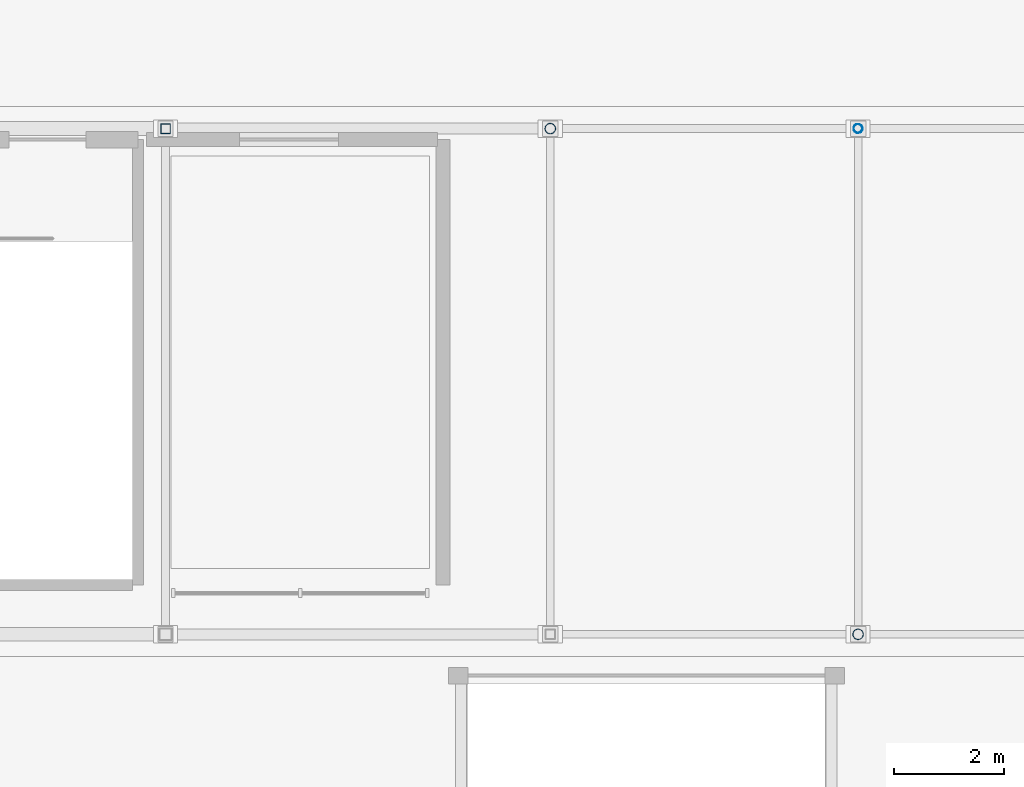
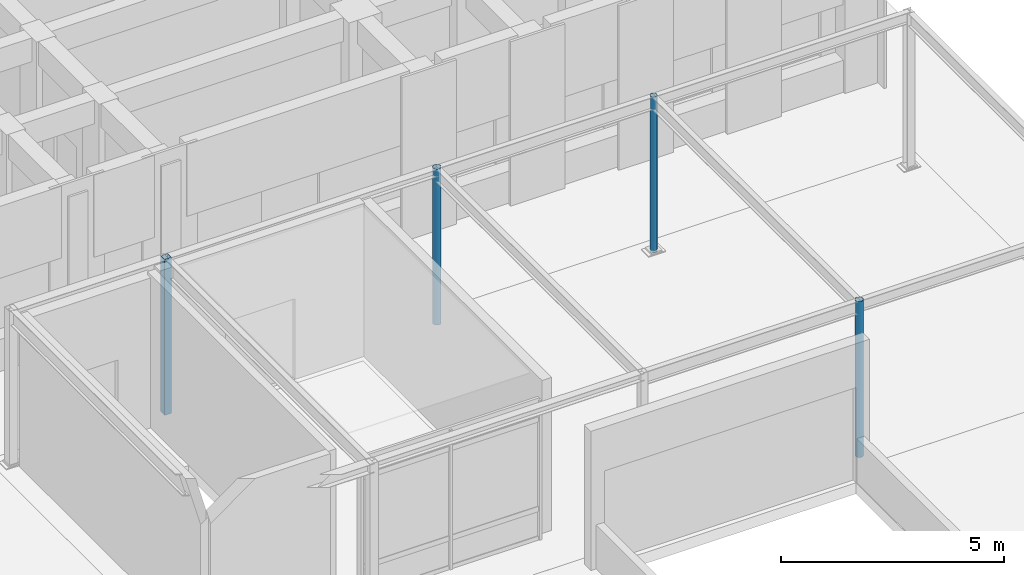
# One storey, part 10 of 135: 4 columns.
"""IFC4 building model written with IfcOpenShell, lengths in metres."""

from ifc_helpers import new_model, si_unit, direction, frame, origin, origin_2d, place, context, subcontext, project, spatial, hollow_rectangle, hollow_circle, extrude, material, material_profile, profile_set, type_object, element, save


model = new_model("IFC4")

# Units and contexts
model_context = context("Model", 3, precision=1e-05, world=origin(), true_north=direction((0.0, 1.0)))
body_context = subcontext(model_context, "Body", "Model", "MODEL_VIEW")
ifc_project = project(units=[si_unit("LENGTHUNIT", "METRE"), si_unit("AREAUNIT", "SQUARE_METRE"), si_unit("VOLUMEUNIT", "CUBIC_METRE"), si_unit("PLANEANGLEUNIT", "RADIAN"), si_unit("MASSUNIT", "GRAM", prefix="KILO")], contexts=[model_context])

# Site, building, storey
site_placement = place(None, origin())
site = spatial("IfcSite", under=ifc_project, at=site_placement, CompositionType="ELEMENT")
building_placement = place(site_placement, origin())
building = spatial("IfcBuilding", under=site, at=building_placement, Name="Kiranvali Square Residences", CompositionType="ELEMENT")
storey_placement = place(building_placement, origin())
storey = spatial("IfcBuildingStorey", under=building, at=storey_placement, Name="L00", CompositionType="ELEMENT", Elevation=0.0)

# Columns
ifc_material = material(Name="Structural steel E350", Category="steel")
ifc_material_profile_1 = material_profile(ifc_material, hollow_circle(Radius=0.08251953125, WallThickness=0.00537109375, at=origin_2d()), Name="CHS 165.1x5.4")
ifc_profile_set_1 = profile_set([ifc_material_profile_1], Name="Structural steel E350")
column_type_1 = type_object("IfcColumnType", Name="SCOL-CHS165", PredefinedType="COLUMN", material=ifc_profile_set_1)
column_1_placement = place(storey_placement, frame((158.60009765625, 64.60009765625, 0.0), z_axis=(0.0, 0.0, 1.0), x_axis=(1.0, 0.0, 0.0)))
element("IfcColumn", 1, at=column_1_placement, inside=storey, type_object=column_type_1, Name="East Street Ramp and Arcade Portal steel column 4.2", PredefinedType="COLUMN", context=body_context, shape_type="SweptSolid", body=[
    extrude(hollow_circle(Radius=0.08251953125, WallThickness=0.00537109375, at=origin_2d()), origin(), (0.0, 0.0, 1.0), 4.260009765625),
])
ifc_material_profile_2 = material_profile(ifc_material, hollow_circle(Radius=0.096923828125, WallThickness=0.006103515625, at=origin_2d()), Name="CHS 193.7x6.0")
ifc_profile_set_2 = profile_set([ifc_material_profile_2], Name="Structural steel E350")
column_type_2 = type_object("IfcColumnType", Name="SCOL-CHS193", PredefinedType="COLUMN", material=ifc_profile_set_2)
for number, where, z_axis, x_axis, name in (
    (2, (153.0, 64.60009765625, 0.0), (0.0, 0.0, 1.0), (1.0, 0.0, 0.0), "East Street Ramp and Arcade Portal steel column 3.2"),
    (3, (158.60009765625, 55.39990234375, 0.0), (0.0, 0.0, 1.0), (1.0, 0.0, 0.0), "East Street Ramp and Arcade Portal steel column 4.1"),
):
    element("IfcColumn", number, at=place(storey_placement, frame(where, z_axis=z_axis, x_axis=x_axis)), inside=storey, type_object=column_type_2, Name=name, PredefinedType="COLUMN", context=body_context, shape_type="SweptSolid", body=[
        extrude(hollow_circle(Radius=0.096923828125, WallThickness=0.006103515625, at=origin_2d()), origin(), (0.0, 0.0, 1.0), 4.260009765625),
    ])
ifc_material_profile_3 = material_profile(ifc_material, hollow_rectangle(XDim=0.179931640625, YDim=0.179931640625, WallThickness=0.008056640625, at=origin_2d()), Name="SHS 180x180x8.0")
ifc_profile_set_3 = profile_set([ifc_material_profile_3], Name="Structural steel E350")
column_type_3 = type_object("IfcColumnType", Name="SCOL-SHS180", PredefinedType="COLUMN", material=ifc_profile_set_3)
column_2_placement = place(storey_placement, frame((146.0, 64.60009765625, 0.0), z_axis=(0.0, 0.0, 1.0), x_axis=(1.0, 0.0, 0.0)))
element("IfcColumn", 4, at=column_2_placement, inside=storey, type_object=column_type_3, Name="East Street Ramp and Arcade Portal steel column 2.2", PredefinedType="COLUMN", context=body_context, shape_type="SweptSolid", body=[
    extrude(hollow_rectangle(XDim=0.179931640625, YDim=0.179931640625, WallThickness=0.008056640625, at=origin_2d()), origin(), (0.0, 0.0, 1.0), 4.260009765625),
])

save(model, "model.ifc")
